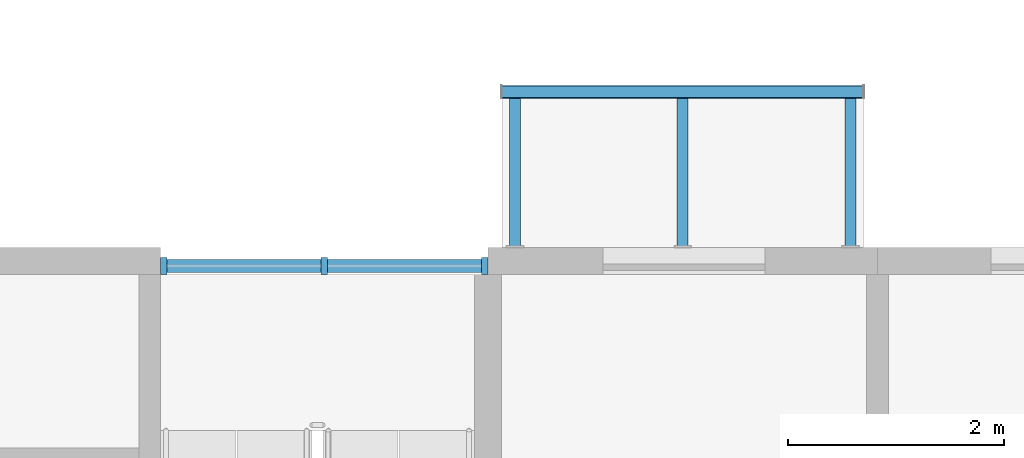
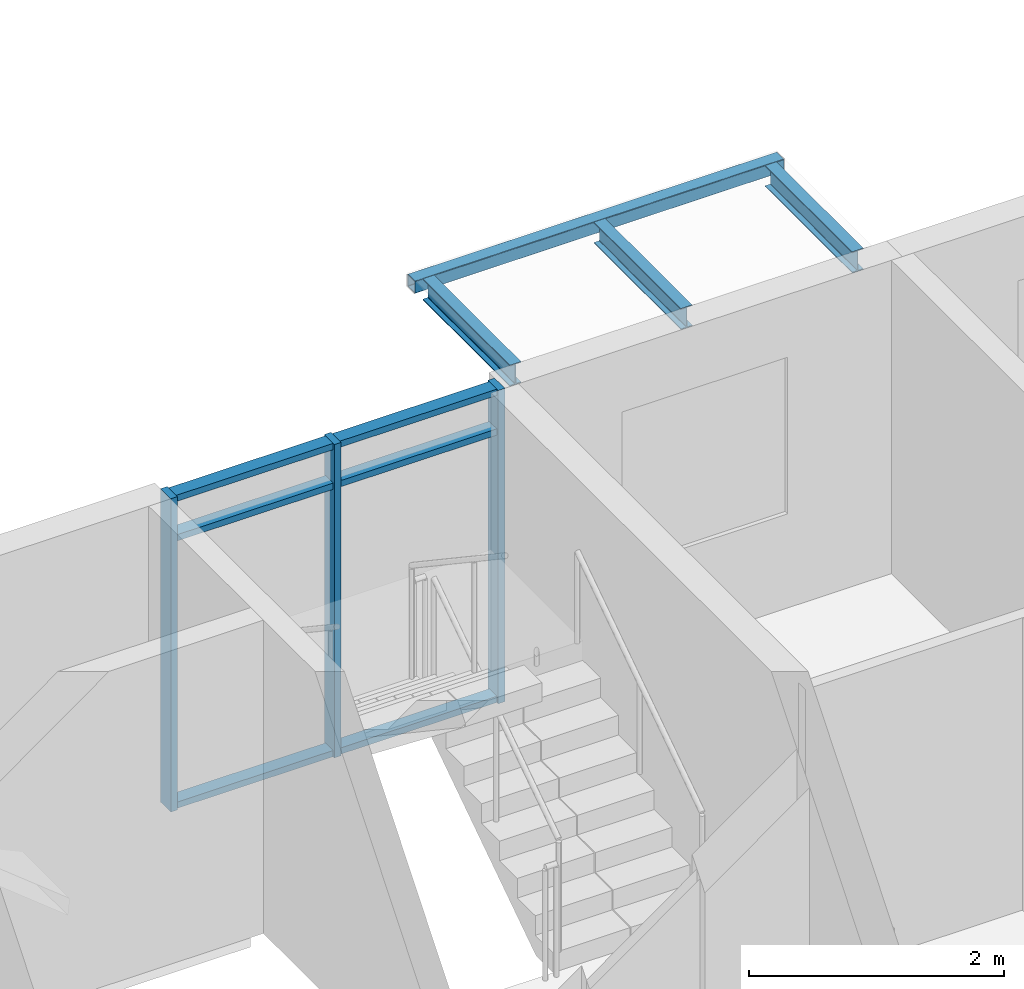
# One storey, part 21 of 78: 9 members, 4 beams, 1 element without a shape of its own.
"""IFC4 building model written with IfcOpenShell, lengths in metres."""

from ifc_helpers import new_model, si_unit, direction, frame, origin, origin_2d, place, context, subcontext, project, spatial, rectangle, hollow_rectangle, i_section, extrude, material, material_profile, profile_set, type_object, element, aggregate, save


model = new_model("IFC4")

# Units and contexts
model_context = context("Model", 3, precision=1e-05, world=origin(), true_north=direction((0.0, 1.0)))
body_context = subcontext(model_context, "Body", "Model", "MODEL_VIEW")
ifc_project = project(units=[si_unit("LENGTHUNIT", "METRE"), si_unit("AREAUNIT", "SQUARE_METRE"), si_unit("VOLUMEUNIT", "CUBIC_METRE"), si_unit("PLANEANGLEUNIT", "RADIAN"), si_unit("MASSUNIT", "GRAM", prefix="KILO")], contexts=[model_context])

# Site, building, storey
site_placement = place(None, origin())
site = spatial("IfcSite", under=ifc_project, at=site_placement, CompositionType="ELEMENT")
building_placement = place(site_placement, origin())
building = spatial("IfcBuilding", under=site, at=building_placement, Name="Ridgestep Commons", CompositionType="ELEMENT")
storey_placement = place(building_placement, frame((0.0, 0.0, 30.0)))
storey = spatial("IfcBuildingStorey", under=building, at=storey_placement, Name="L10", CompositionType="ELEMENT", Elevation=30.0)

# Curtain wall, members
ifc_material_1 = material(Name="Aluminium 6063-T6 and glass", Category="aluminium")
curtain_wall_type = type_object("IfcCurtainWallType", Name="Curtain wall stair strip", PredefinedType="NOTDEFINED", material=ifc_material_1)
curtain_wall_placement = place(storey_placement, origin())
curtain_wall = element("IfcCurtainWall", 1, at=curtain_wall_placement, inside=storey, type_object=curtain_wall_type, Name="Curtain wall C3C level 10", PredefinedType="NOTDEFINED")
ifc_material_2 = material(Name="Aluminium 6063-T6", Category="aluminium")
ifc_material_profile_1 = material_profile(ifc_material_2, rectangle(XDim=0.159912109375, YDim=0.06005859375, at=origin_2d()), Name="Mullion 60 x 160")
ifc_profile_set_1 = profile_set([ifc_material_profile_1], Name="Aluminium 6063-T6")
member_type_1 = type_object("IfcMemberType", Name="Mullion 60 x 160", PredefinedType="MULLION", material=ifc_profile_set_1)
member_1_placement = place(storey_placement, frame((183.405029296875, 77.080078125, 0.0), z_axis=(0.0, 0.0, 1.0), x_axis=(0.0, 1.0, 0.0)))
member_1 = element("IfcMember", 2, at=member_1_placement, type_object=member_type_1, Name="CW1 mullion 1", PredefinedType="MULLION", context=body_context, shape_type="SweptSolid", body=[
    extrude(rectangle(XDim=0.159912109375, YDim=0.06005859375, at=origin_2d()), origin(), (0.0, 0.0, 1.0), 3.0),
])
member_2_placement = place(storey_placement, frame((184.887451171875, 77.080078125, 0.0), z_axis=(0.0, 0.0, 1.0), x_axis=(0.0, 1.0, 0.0)))
member_2 = element("IfcMember", 3, at=member_2_placement, type_object=member_type_1, Name="CW1 mullion 2", PredefinedType="MULLION", context=body_context, shape_type="SweptSolid", body=[
    extrude(rectangle(XDim=0.159912109375, YDim=0.06005859375, at=origin_2d()), origin(), (0.0, 0.0, 1.0), 3.0),
])
member_3_placement = place(storey_placement, frame((186.3701171875, 77.080078125, 0.0), z_axis=(0.0, 0.0, 1.0), x_axis=(0.0, 1.0, 0.0)))
member_3 = element("IfcMember", 4, at=member_3_placement, type_object=member_type_1, Name="CW1 mullion 3", PredefinedType="MULLION", context=body_context, shape_type="SweptSolid", body=[
    extrude(rectangle(XDim=0.159912109375, YDim=0.06005859375, at=origin_2d()), origin(), (0.0, 0.0, 1.0), 3.0),
])
ifc_material_3 = material(Name="Aluminium 6063-T6", Category="aluminium")
ifc_material_profile_2 = material_profile(ifc_material_3, rectangle(XDim=0.1201171875, YDim=0.06005859375, at=origin_2d()), Name="Transom 60 x 120")
ifc_profile_set_2 = profile_set([ifc_material_profile_2], Name="Aluminium 6063-T6")
member_type_2 = type_object("IfcMemberType", Name="Transom 60 x 120", PredefinedType="USERDEFINED", material=ifc_profile_set_2)
member_4_placement = place(storey_placement, frame((183.43505859375, 77.080078125, 0.030029296875), z_axis=(1.0, 0.0, 0.0), x_axis=(0.0, 1.0, 0.0)))
member_4 = element("IfcMember", 5, at=member_4_placement, type_object=member_type_2, Name="CW1 transom 1.1", ObjectType="TRANSOM", PredefinedType="USERDEFINED", context=body_context, shape_type="SweptSolid", body=[
    extrude(rectangle(XDim=0.1201171875, YDim=0.06005859375, at=origin_2d()), origin(), (0.0, 0.0, 1.0), 1.42236328125),
])
member_5_placement = place(storey_placement, frame((183.43505859375, 77.080078125, 2.590087890625), z_axis=(1.0, 0.0, 0.0), x_axis=(0.0, 1.0, 0.0)))
member_5 = element("IfcMember", 6, at=member_5_placement, type_object=member_type_2, Name="CW1 transom 1.2", ObjectType="TRANSOM", PredefinedType="USERDEFINED", context=body_context, shape_type="SweptSolid", body=[
    extrude(rectangle(XDim=0.1201171875, YDim=0.06005859375, at=origin_2d()), origin(), (0.0, 0.0, 1.0), 1.42236328125),
])
member_6_placement = place(storey_placement, frame((183.43505859375, 77.080078125, 2.969970703125), z_axis=(1.0, 0.0, 0.0), x_axis=(0.0, 1.0, 0.0)))
member_6 = element("IfcMember", 7, at=member_6_placement, type_object=member_type_2, Name="CW1 transom 1.3", ObjectType="TRANSOM", PredefinedType="USERDEFINED", context=body_context, shape_type="SweptSolid", body=[
    extrude(rectangle(XDim=0.1201171875, YDim=0.06005859375, at=origin_2d()), origin(), (0.0, 0.0, 1.0), 1.42236328125),
])
member_7_placement = place(storey_placement, frame((184.91748046875, 77.080078125, 0.030029296875), z_axis=(1.0, 0.0, 0.0), x_axis=(0.0, 1.0, 0.0)))
member_7 = element("IfcMember", 8, at=member_7_placement, type_object=member_type_2, Name="CW1 transom 2.1", ObjectType="TRANSOM", PredefinedType="USERDEFINED", context=body_context, shape_type="SweptSolid", body=[
    extrude(rectangle(XDim=0.1201171875, YDim=0.06005859375, at=origin_2d()), origin(), (0.0, 0.0, 1.0), 1.422607421875),
])
member_8_placement = place(storey_placement, frame((184.91748046875, 77.080078125, 2.590087890625), z_axis=(1.0, 0.0, 0.0), x_axis=(0.0, 1.0, 0.0)))
member_8 = element("IfcMember", 9, at=member_8_placement, type_object=member_type_2, Name="CW1 transom 2.2", ObjectType="TRANSOM", PredefinedType="USERDEFINED", context=body_context, shape_type="SweptSolid", body=[
    extrude(rectangle(XDim=0.1201171875, YDim=0.06005859375, at=origin_2d()), origin(), (0.0, 0.0, 1.0), 1.422607421875),
])
member_9_placement = place(storey_placement, frame((184.91748046875, 77.080078125, 2.969970703125), z_axis=(1.0, 0.0, 0.0), x_axis=(0.0, 1.0, 0.0)))
member_9 = element("IfcMember", 10, at=member_9_placement, type_object=member_type_2, Name="CW1 transom 2.3", ObjectType="TRANSOM", PredefinedType="USERDEFINED", context=body_context, shape_type="SweptSolid", body=[
    extrude(rectangle(XDim=0.1201171875, YDim=0.06005859375, at=origin_2d()), origin(), (0.0, 0.0, 1.0), 1.422607421875),
])
aggregate(curtain_wall, [member_1, member_2, member_3, member_4, member_5, member_6, member_7, member_8, member_9])

# Beams
ifc_material_4 = material(Name="Weathering steel S355J2W", Category="steel")
ifc_material_profile_3 = material_profile(ifc_material_4, i_section(OverallWidth=0.101806640625, OverallDepth=0.203125, WebThickness=0.00537109375, FlangeThickness=0.00927734375, FilletRadius=0.007568359375, at=origin_2d()), Name="UB 203x102x23")
ifc_profile_set_3 = profile_set([ifc_material_profile_3], Name="Weathering steel S355J2W")
beam_type_1 = type_object("IfcBeamType", Name="Tray arm UB 203x102x23", PredefinedType="BEAM", material=ifc_profile_set_3)
for number, where, z_axis, x_axis, name in (
    (11, (186.64990234375, 77.264892578125, 2.888427734375), (0.0, 1.0, 0.0), (-1.0, 0.0, 0.0), "Tray arm C3T3-11.1"),
    (12, (188.199951171875, 77.264892578125, 2.888427734375), (0.0, 1.0, 0.0), (-1.0, 0.0, 0.0), "Tray arm C3T3-11.2"),
    (13, (189.75, 77.264892578125, 2.888427734375), (0.0, 1.0, 0.0), (-1.0, 0.0, 0.0), "Tray arm C3T3-11.3"),
):
    element("IfcBeam", number, at=place(storey_placement, frame(where, z_axis=z_axis, x_axis=x_axis)), inside=storey, type_object=beam_type_1, Name=name, PredefinedType="BEAM", context=body_context, shape_type="SweptSolid", body=[
        extrude(i_section(OverallWidth=0.101806640625, OverallDepth=0.203125, WebThickness=0.00537109375, FlangeThickness=0.00927734375, FilletRadius=0.007568359375, at=origin_2d()), origin(), (0.0, 0.0, 1.0), 1.364990234375),
    ])
ifc_material_5 = material(Name="Weathering steel S355J2W", Category="steel")
ifc_material_profile_4 = material_profile(ifc_material_5, hollow_rectangle(XDim=0.1201171875, YDim=0.1201171875, WallThickness=0.00634765625, InnerFilletRadius=0.00634765625, OuterFilletRadius=0.009521484375, at=origin_2d()), Name="SHS 120x120x6.3")
ifc_profile_set_4 = profile_set([ifc_material_profile_4], Name="Weathering steel S355J2W")
beam_type_2 = type_object("IfcBeamType", Name="Tray edge member SHS 120x120x6.3", PredefinedType="BEAM", material=ifc_profile_set_4)
beam_placement = place(storey_placement, frame((186.530029296875, 78.68994140625, 2.929931640625), z_axis=(1.0, 0.0, 0.0), x_axis=(0.0, 0.0, 1.0)))
element("IfcBeam", 14, at=beam_placement, inside=storey, type_object=beam_type_2, Name="Tray edge member C3T3-11", PredefinedType="BEAM", context=body_context, shape_type="SweptSolid", body=[
    extrude(hollow_rectangle(XDim=0.1201171875, YDim=0.1201171875, WallThickness=0.00634765625, InnerFilletRadius=0.00634765625, OuterFilletRadius=0.009521484375, at=origin_2d()), origin(), (0.0, 0.0, 1.0), 3.340087890625),
])

save(model, "model.ifc")
